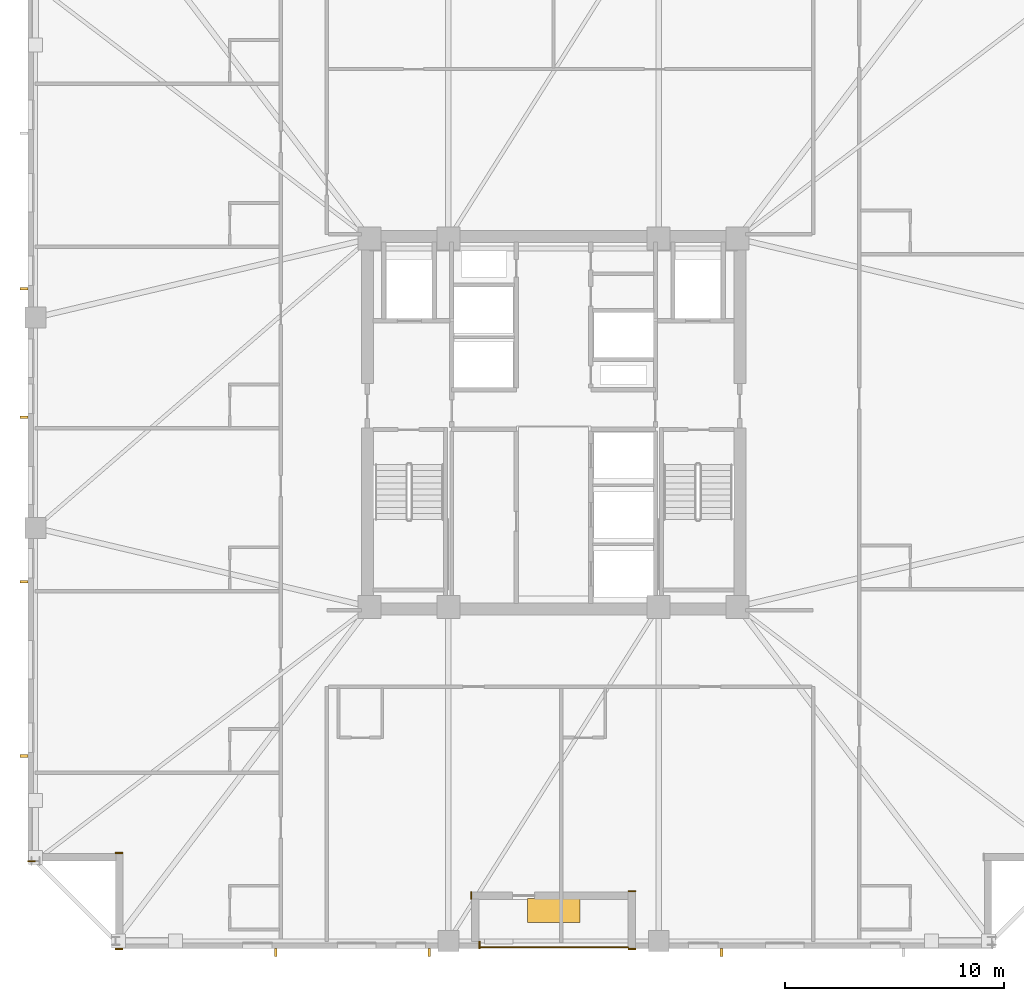
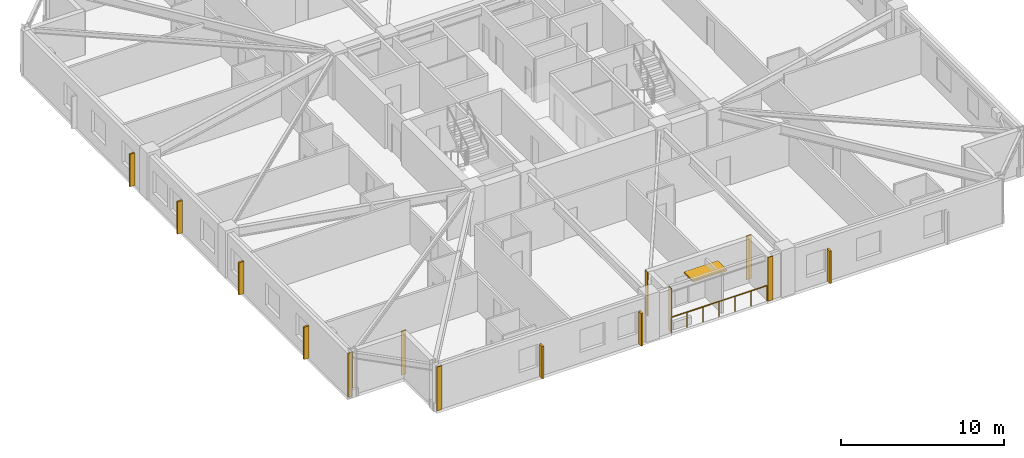
# One storey, part 7 of 11: 8 shading devices, 7 coverings, 1 railing.
"""IFC4 building model written with IfcOpenShell, lengths in metres."""

from ifc_helpers import new_model, si_unit, direction, frame, frame_2d, origin, origin_2d, place, context, subcontext, project, spatial, rectangle, circle, extrude, material, layer, layer_set, type_object, element, save


model = new_model("IFC4")

# Units and contexts
model_context = context("Model", 3, precision=1e-05, world=origin(), true_north=direction((0.0, 1.0)))
body_context = subcontext(model_context, "Body", "Model", "MODEL_VIEW")
ifc_project = project(units=[si_unit("LENGTHUNIT", "METRE"), si_unit("AREAUNIT", "SQUARE_METRE"), si_unit("VOLUMEUNIT", "CUBIC_METRE"), si_unit("PLANEANGLEUNIT", "RADIAN"), si_unit("MASSUNIT", "GRAM", prefix="KILO")], contexts=[model_context])

# Site, building, storey
site_placement = place(None, origin())
site = spatial("IfcSite", under=ifc_project, at=site_placement, CompositionType="ELEMENT")
building_placement = place(site_placement, origin())
building = spatial("IfcBuilding", under=site, at=building_placement, Name="Cairnveth Concourse Tower", CompositionType="ELEMENT")
storey_placement = place(building_placement, frame((0.0, 0.0, 155.0)))
storey = spatial("IfcBuildingStorey", under=building, at=storey_placement, Name="L42", CompositionType="ELEMENT", Elevation=155.0)

# Coverings
ifc_material_1 = material(Name="Dressed Melbourne Bluestone Cladding", Category="masonry")
ifc_layer = layer(ifc_material_1, 0.050048828125)
ifc_layer_set = layer_set([ifc_layer], Name="Dressed Melbourne Bluestone Cladding")
covering_type = type_object("IfcCoveringType", Name="DRESSED BLUESTONE PLINTH CLADDING 50", PredefinedType="CLADDING", material=ifc_layer_set)
for number, where, z_axis, x_axis, name in (
    (1, (48.6201171875, 15.340087890625, 0.0), (0.0, 0.0, 1.0), (0.0, -1.0, 0.0), "Melbourne Bluestone Corner Quoin L42-611"),
    (2, (32.340087890625, 14.97998046875, 0.0), (0.0, 0.0, 1.0), (-1.0, 0.0, 0.0), "Melbourne Bluestone Corner Quoin L42-612"),
    (3, (32.340087890625, 19.360107421875, 0.0), (0.0, 0.0, 1.0), (-1.0, 0.0, 0.0), "Melbourne Bluestone Corner Quoin L42-613"),
    (4, (28.340087890625, 18.97998046875, 0.0), (0.0, 0.0, 1.0), (-1.0, 0.0, 0.0), "Melbourne Bluestone Corner Quoin L42-614"),
    (5, (55.739990234375, 14.97998046875, 0.0), (0.0, 0.0, 1.0), (-1.0, 0.0, 0.0), "Melbourne Bluestone Corner Quoin L42-624"),
    (6, (55.739990234375, 17.610107421875, 0.0), (0.0, 0.0, 1.0), (-1.0, 0.0, 0.0), "Melbourne Bluestone Corner Quoin L42-625"),
    (7, (48.239990234375, 17.590087890625, 0.0), (0.0, 0.0, 1.0), (0.0, -1.0, 0.0), "Melbourne Bluestone Corner Quoin L42-626"),
):
    element("IfcCovering", number, at=place(storey_placement, frame(where, z_axis=z_axis, x_axis=x_axis)), inside=storey, type_object=covering_type, Name=name, PredefinedType="CLADDING", context=body_context, shape_type="SweptSolid", body=[
        extrude(rectangle(XDim=0.340087890625, YDim=0.050048828125, at=frame_2d((0.169921875, 0.0))), origin(), (0.0, 0.0, 1.0), 3.280029296875),
    ])

# Shading devices
ifc_material_2 = material(Name="Architectural Bronze Anodised Aluminium 6063-T6", Category="aluminium")
shading_device_type_1 = type_object("IfcShadingDeviceType", Name="GOTHIC BRONZE VERTICAL LANCET FIN", PredefinedType="USERDEFINED", material=ifc_material_2)
for number, where, z_axis, x_axis, name in (
    (8, (46.3212890625, 14.824951171875, 0.030029296875), (0.0, 0.0, 1.0), (1.0, 0.0, 0.0), "Gothic Bronze Vertical Fin L42-0-1"),
    (9, (39.316650390625, 14.824951171875, 0.030029296875), (0.0, 0.0, 1.0), (1.0, 0.0, 0.0), "Gothic Bronze Vertical Fin L42-0-3"),
    (10, (27.824951171875, 23.791748046875, 0.030029296875), (0.0, 0.0, 1.0), (0.0, 1.0, 0.0), "Gothic Bronze Vertical Fin L42-3-1"),
    (11, (27.824951171875, 31.748779296875, 0.030029296875), (0.0, 0.0, 1.0), (0.0, 1.0, 0.0), "Gothic Bronze Vertical Fin L42-3-3"),
    (12, (27.824951171875, 39.256103515625, 0.030029296875), (0.0, 0.0, 1.0), (0.0, 1.0, 0.0), "Gothic Bronze Vertical Fin L42-3-5"),
    (13, (27.824951171875, 45.113037109375, 0.030029296875), (0.0, 0.0, 1.0), (0.0, 1.0, 0.0), "Gothic Bronze Vertical Fin L42-3-7"),
    (14, (59.666748046875, 14.824951171875, 0.030029296875), (0.0, 0.0, 1.0), (1.0, 0.0, 0.0), "Gothic Bronze Vertical Fin L42-12-3"),
):
    element("IfcShadingDevice", number, at=place(storey_placement, frame(where, z_axis=z_axis, x_axis=x_axis)), inside=storey, type_object=shading_device_type_1, Name=name, ObjectType="VERTICAL FIN", PredefinedType="USERDEFINED", context=body_context, shape_type="SweptSolid", body=[
        extrude(rectangle(XDim=0.1201171875, YDim=0.360107421875, at=origin_2d()), origin(), (0.0, 0.0, 1.0), 2.419921875),
    ])
shading_device_type_2 = type_object("IfcShadingDeviceType", Name="SPIRAL TERRACE SUNSHADE CANOPY", PredefinedType="USERDEFINED", material=ifc_material_2)
shading_device_placement = place(storey_placement, frame((52.0, 16.72998046875, 2.300048828125), z_axis=(0.0, 0.0, 1.0), x_axis=(1.0, 0.0, 0.0)))
element("IfcShadingDevice", 15, at=shading_device_placement, inside=storey, type_object=shading_device_type_2, Name="Spiral Terrace Sunshade L42", ObjectType="TERRACE SUNSHADE", PredefinedType="USERDEFINED", context=body_context, shape_type="SweptSolid", body=[
    extrude(rectangle(XDim=2.39990234375, YDim=1.10009765625, at=origin_2d()), origin(), (0.0, 0.0, 1.0), 0.1201171875),
])

# Railing
railing_type = type_object("IfcRailingType", Name="TERRACE BRONZE BALUSTRADE 1150", PredefinedType="BALUSTRADE", material=ifc_material_2)
railing_placement = place(storey_placement, frame((48.60009765625, 15.06005859375, 0.0)))
element("IfcRailing", 16, at=railing_placement, inside=storey, type_object=railing_type, Name="Terrace Balustrade RL-L42-TERR", PredefinedType="BALUSTRADE", context=body_context, shape_type="SweptSolid", body=[
    extrude(circle(Radius=0.02490234375, at=origin_2d()), frame((0.0, 0.0, 1.125), z_axis=(1.0, 0.0, 0.0), x_axis=(0.0, 1.0, 0.0)), (0.0, 0.0, 1.0), 6.7998046875),
    extrude(circle(Radius=0.02099609375, at=origin_2d()), origin(), (0.0, 0.0, 1.0), 1.099853515625),
    extrude(circle(Radius=0.02099609375, at=origin_2d()), frame((1.13330078125, 0.0, 0.0)), (0.0, 0.0, 1.0), 1.099853515625),
    extrude(circle(Radius=0.02099609375, at=origin_2d()), frame((2.2666015625, 0.0, 0.0)), (0.0, 0.0, 1.0), 1.099853515625),
    extrude(circle(Radius=0.02099609375, at=origin_2d()), frame((3.39990234375, 0.0, 0.0)), (0.0, 0.0, 1.0), 1.099853515625),
    extrude(circle(Radius=0.02099609375, at=origin_2d()), frame((4.533203125, 0.0, 0.0)), (0.0, 0.0, 1.0), 1.099853515625),
    extrude(circle(Radius=0.02099609375, at=origin_2d()), frame((5.66650390625, 0.0, 0.0)), (0.0, 0.0, 1.0), 1.099853515625),
    extrude(circle(Radius=0.02099609375, at=origin_2d()), frame((6.7998046875, 0.0, 0.0)), (0.0, 0.0, 1.0), 1.099853515625),
])

save(model, "model.ifc")
